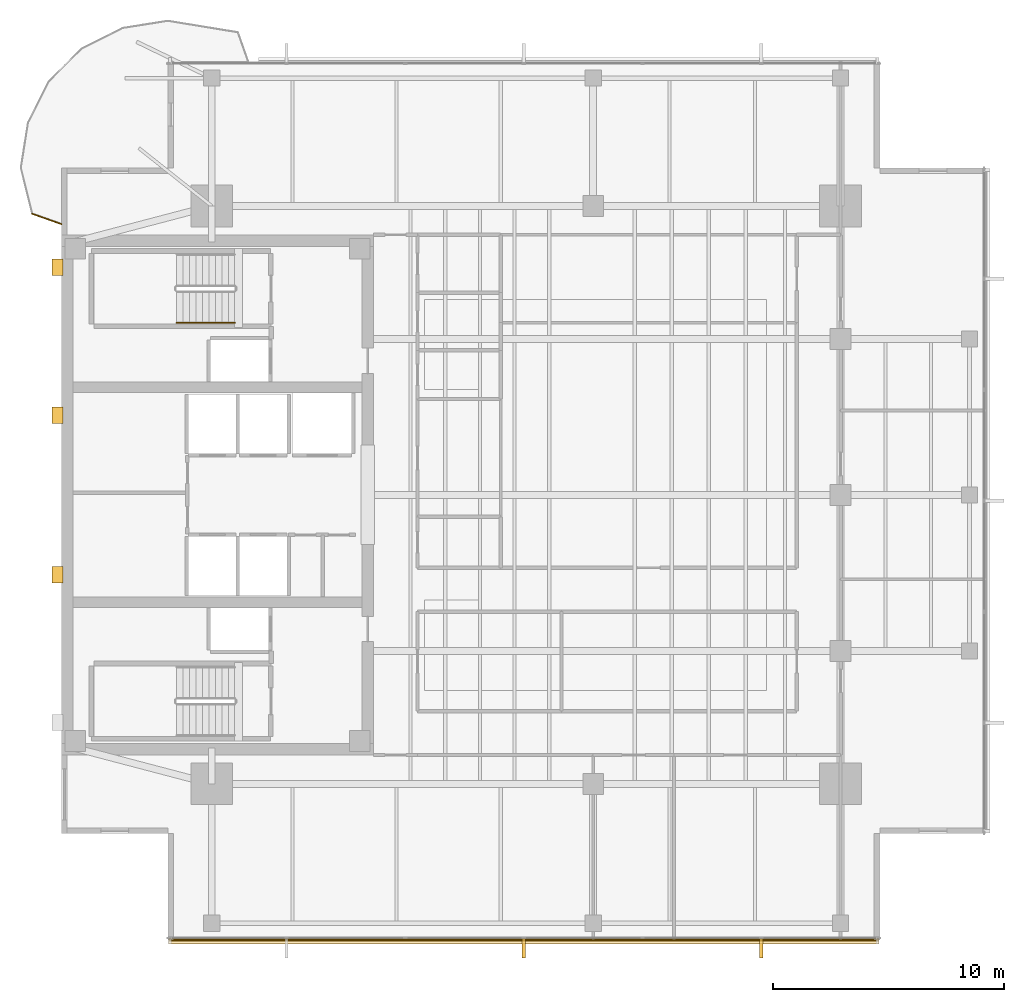
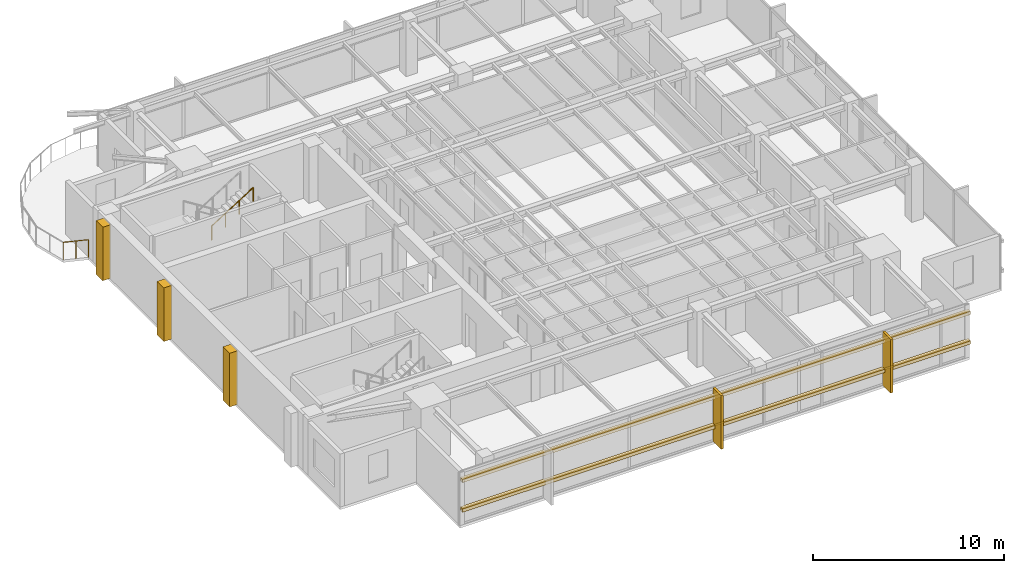
# One storey, part 12 of 14: 7 coverings, 2 railings, 2 shading devices.
"""IFC4 building model written with IfcOpenShell, lengths in metres."""

import ifcopenshell
import ifcopenshell.guid

model = None  # the IFC model being written
_history = None  # IfcOwnerHistory: only IFC2X3 demands one
_inside = {}  # id of a spatial element -> (the spatial element, [elements in it])
_under = {}  # id of a project, library or spatial element -> (it, [spatial elements below it])
_declared = {}  # id of a project -> (the project, [libraries it declares])
_typed = {}  # id of a type object -> (the type object, [elements of that type])
_made_of = {}  # id of a material, layer set ... -> (it, [elements and type objects made of it])


def new_model(schema):
    """Start an empty IFC model of exactly this schema.

    Asked for "IFC4X3", IfcOpenShell would pick the latest addendum, in which some entities
    have other attributes; the version numbers below select the first issue.
    IFC2X3 requires an IfcOwnerHistory on every rooted entity: one is made here for all.
    """
    global model, _history
    if schema == "IFC4X3":
        model = ifcopenshell.file(schema_version=(4, 3, 0, 0))
    else:
        model = ifcopenshell.file(schema=schema)
    _inside.clear()
    _under.clear()
    _declared.clear()
    _typed.clear()
    _made_of.clear()
    _history = None
    if model.schema == "IFC2X3":
        org = make("IfcOrganization", Name="unknown")
        user = make(
            "IfcPersonAndOrganization",
            ThePerson=make("IfcPerson", FamilyName="unknown"),
            TheOrganization=org,
        )
        app = make(
            "IfcApplication",
            ApplicationDeveloper=org,
            Version="unknown",
            ApplicationFullName="unknown",
            ApplicationIdentifier="unknown",
        )
        _history = make(
            "IfcOwnerHistory",
            OwningUser=user,
            OwningApplication=app,
            ChangeAction="ADDED",
            CreationDate=0,
        )
    return model


def make(cls, **values):
    """One entity of the class cls with the attributes given. An attribute that is None is left unset."""
    return model.create_entity(
        cls, **{name: value for name, value in values.items() if value is not None}
    )


def rooted(cls, **values):
    """An entity with a GlobalId (a new one), such as an element, a storey or a relation."""
    return make(cls, GlobalId=ifcopenshell.guid.new(), OwnerHistory=_history, **values)


def si_unit(unit_type, name, prefix=None):
    """IfcSIUnit, for example si_unit("LENGTHUNIT", "METRE", prefix="MILLI")."""
    return make("IfcSIUnit", UnitType=unit_type, Prefix=prefix, Name=name)


def assignment(units):
    """IfcUnitAssignment: the units of a project."""
    return None if units is None else make("IfcUnitAssignment", Units=units)


def point(xyz):
    """IfcCartesianPoint."""
    return None if xyz is None else make("IfcCartesianPoint", Coordinates=xyz)


def direction(xyz):
    """IfcDirection."""
    return None if xyz is None else make("IfcDirection", DirectionRatios=xyz)


def frame(location, z_axis=None, x_axis=None):
    """IfcAxis2Placement3D, a coordinate frame: its origin and axes. An axis left out is left unset."""
    return make(
        "IfcAxis2Placement3D",
        Location=point(location),
        Axis=direction(z_axis),
        RefDirection=direction(x_axis),
    )


def frame_2d(location, x_axis=None):
    """IfcAxis2Placement2D, a coordinate frame in the plane: its origin and x axis."""
    return make(
        "IfcAxis2Placement2D", Location=point(location), RefDirection=direction(x_axis)
    )


def origin():
    """The frame at (0, 0, 0) with its axes left unset."""
    return frame((0.0, 0.0, 0.0))


def origin_2d():
    """The frame at (0, 0) in the plane with its x axis left unset."""
    return frame_2d((0.0, 0.0))


def place(relative_to, where):
    """IfcLocalPlacement: puts the frame where relative to a parent placement (None: the world)."""
    return make(
        "IfcLocalPlacement", PlacementRelTo=relative_to, RelativePlacement=where
    )


def context(
    kind, dimensions, precision=None, world=None, true_north=None, identifier=None
):
    """IfcGeometricRepresentationContext, for example the 3D "Model" context."""
    return make(
        "IfcGeometricRepresentationContext",
        ContextIdentifier=identifier,
        ContextType=kind,
        CoordinateSpaceDimension=dimensions,
        Precision=precision,
        WorldCoordinateSystem=world,
        TrueNorth=true_north,
    )


def subcontext(parent, identifier, kind, view, scale=None):
    """IfcGeometricRepresentationSubContext, for example "Body" below "Model"."""
    return make(
        "IfcGeometricRepresentationSubContext",
        ContextIdentifier=identifier,
        ContextType=kind,
        ParentContext=parent,
        TargetScale=scale,
        TargetView=view,
    )


def project(units=None, contexts=None):
    """IfcProject with its units and contexts."""
    return rooted(
        "IfcProject",
        Name="project",
        RepresentationContexts=contexts,
        UnitsInContext=assignment(units),
    )


def spatial(cls, under=None, at=None, **own):
    """A site, building, storey or space (cls), placed at a placement, below another one or the project."""
    s = rooted(cls, ObjectPlacement=at, **own)
    if under is not None:
        _under.setdefault(under.id(), (under, []))[1].append(s)
    return s


def polyline(points):
    """IfcPolyline through the points."""
    return make("IfcPolyline", Points=[point(p) for p in points])


def profile(cls, at=None, kind="AREA", **sizes):
    """A parametric profile (cls). Its sizes go by their IFC names, for example OverallWidth=200.0."""
    return make(cls, ProfileType=kind, Position=at, **sizes)


def rectangle(**sizes):
    """IfcRectangleProfileDef."""
    return profile("IfcRectangleProfileDef", **sizes)


def circle(**sizes):
    """IfcCircleProfileDef."""
    return profile("IfcCircleProfileDef", **sizes)


def outline(outer, holes=None, kind="AREA"):
    """IfcArbitraryClosedProfileDef: a profile drawn as a closed curve; with holes, ...WithVoids."""
    if holes is None:
        return make("IfcArbitraryClosedProfileDef", ProfileType=kind, OuterCurve=outer)
    return make(
        "IfcArbitraryProfileDefWithVoids",
        ProfileType=kind,
        OuterCurve=outer,
        InnerCurves=holes,
    )


def extrude(swept, where, along, depth):
    """IfcExtrudedAreaSolid: the profile swept, set in the frame where, extruded along a direction by depth."""
    return make(
        "IfcExtrudedAreaSolid",
        SweptArea=swept,
        Position=where,
        ExtrudedDirection=direction(along),
        Depth=depth,
    )


def shape(context_of_items, identifier, shape_type, items):
    """IfcShapeRepresentation: the items that make up one representation, for example the "Body"."""
    return make(
        "IfcShapeRepresentation",
        ContextOfItems=context_of_items,
        RepresentationIdentifier=identifier,
        RepresentationType=shape_type,
        Items=items,
    )


def material(Name=None, Category=None):
    """IfcMaterial."""
    return make("IfcMaterial", Name=Name, Category=Category)


def layer(
    of_material, thickness, ventilated=None, Name=None, Category=None, Priority=None
):
    """IfcMaterialLayer: one layer of a wall or slab, of a material (None: an air gap)."""
    return make(
        "IfcMaterialLayer",
        Material=of_material,
        LayerThickness=thickness,
        IsVentilated=ventilated,
        Name=Name,
        Category=Category,
        Priority=Priority,
    )


def layer_set(layers, Name=None):
    """IfcMaterialLayerSet."""
    return make("IfcMaterialLayerSet", MaterialLayers=layers, LayerSetName=Name)


def material_profile(
    of_material, cross_section, Name=None, Category=None, Priority=None
):
    """IfcMaterialProfile: a cross section and its material."""
    return make(
        "IfcMaterialProfile",
        Name=Name,
        Material=of_material,
        Profile=cross_section,
        Priority=Priority,
        Category=Category,
    )


def profile_set(profiles, Name=None, composite=None):
    """IfcMaterialProfileSet."""
    return make(
        "IfcMaterialProfileSet",
        Name=Name,
        MaterialProfiles=profiles,
        CompositeProfile=composite,
    )


def made_of(thing, what):
    """Note that an element or type object is made of a material, layer set ...; save() writes the relation."""
    if what is not None:
        _made_of.setdefault(what.id(), (what, []))[1].append(thing)
    return thing


def type_object(cls, material=None, **own):
    """A type object (cls), such as IfcWallType, which elements share."""
    return made_of(rooted(cls, **own), material)


def element(
    cls,
    number,
    at=None,
    inside=None,
    cuts=None,
    type_object=None,
    material=None,
    context=None,
    identifier="Body",
    shape_type=None,
    held_by="IfcProductDefinitionShape",
    body=None,
    shapes=None,
    **own,
):
    """One element of the class cls, such as IfcWall. Its Tag is "e" and its number.

    at: its placement. inside: the storey or other place that contains it. cuts: it is an
    opening in that element (IfcRelVoidsElement). A single representation is given by context,
    identifier, shape_type and body (its items); several are given by shapes. held_by: the class
    of the entity that holds the representations. save() writes the other relations.
    """
    e = rooted(cls, Tag="e%d" % number, ObjectPlacement=at, **own)
    if body is not None:
        shapes = [shape(context, identifier, shape_type, body)]
    if shapes is not None:
        e.Representation = make(held_by, Representations=shapes)
    if inside is not None:
        _inside.setdefault(inside.id(), (inside, []))[1].append(e)
    if cuts is not None:
        rooted(
            "IfcRelVoidsElement", RelatingBuildingElement=cuts, RelatedOpeningElement=e
        )
    if type_object is not None:
        _typed.setdefault(type_object.id(), (type_object, []))[1].append(e)
    return made_of(e, material)


def aggregate(whole, parts):
    """IfcRelAggregates: a whole, such as a stair, and the parts it consists of."""
    return rooted("IfcRelAggregates", RelatingObject=whole, RelatedObjects=parts)


def save(model, path):
    """Write the relations noted so far, then the file.

    IfcRelAggregates (storeys below a building ...), IfcRelContainedInSpatialStructure (elements
    in a storey), IfcRelDefinesByType, IfcRelAssociatesMaterial and IfcRelDeclares: one each for
    every whole, place, type object, material and project.
    """
    for whole, parts in _under.values():
        aggregate(whole, parts)
    for where, things in _inside.values():
        rooted(
            "IfcRelContainedInSpatialStructure",
            RelatedElements=things,
            RelatingStructure=where,
        )
    for kind, things in _typed.values():
        rooted("IfcRelDefinesByType", RelatedObjects=things, RelatingType=kind)
    for what, things in _made_of.values():
        rooted("IfcRelAssociatesMaterial", RelatedObjects=things, RelatingMaterial=what)
    for by, libraries in _declared.values():
        rooted("IfcRelDeclares", RelatingContext=by, RelatedDefinitions=libraries)
    model.write(path)


model = new_model("IFC4")

# Units and contexts
model_context = context("Model", 3, precision=1e-05, world=origin(), true_north=direction((0.0, 1.0)))
body_context = subcontext(model_context, "Body", "Model", "MODEL_VIEW")
ifc_project = project(units=[si_unit("LENGTHUNIT", "METRE"), si_unit("AREAUNIT", "SQUARE_METRE"), si_unit("VOLUMEUNIT", "CUBIC_METRE"), si_unit("PLANEANGLEUNIT", "RADIAN"), si_unit("MASSUNIT", "GRAM", prefix="KILO")], contexts=[model_context])

# Site, building, storey
site_placement = place(None, origin())
site = spatial("IfcSite", under=ifc_project, at=site_placement, CompositionType="ELEMENT")
building_placement = place(site_placement, origin())
building = spatial("IfcBuilding", under=site, at=building_placement, Name="Kinhvarn Gate Tower", CompositionType="ELEMENT")
storey_placement = place(building_placement, frame((0.0, 0.0, 270.550048828125)))
storey = spatial("IfcBuildingStorey", under=building, at=storey_placement, Name="L72", CompositionType="ELEMENT", Elevation=270.550048828125)

# Coverings
ifc_material_1 = material(Name="Fired architectural terracotta", Category="masonry")
ifc_layer_1 = layer(ifc_material_1, 0.239990234375)
ifc_layer_set_1 = layer_set([ifc_layer_1], Name="Fired architectural terracotta")
covering_type_1 = type_object("IfcCoveringType", Name="COV-BAG-220", PredefinedType="CLADDING", material=ifc_layer_set_1)
covering_1_placement = place(storey_placement, frame((0.0, 0.0, 0.93994140625)))
element("IfcCovering", 1, at=covering_1_placement, inside=storey, type_object=covering_type_1, Name="Terracotta Horizontal Sunscreen Band TBG-220 (L72)", PredefinedType="CLADDING", context=body_context, shape_type="SweptSolid", body=[
    extrude(outline(polyline([(9.139892578125, 6.070068359375), (39.860107421875, 6.070068359375), (39.860107421875, 5.830078125), (9.139892578125, 5.830078125), (9.139892578125, 6.070068359375)])), origin(), (0.0, 0.0, 1.0), 0.219970703125),
])
covering_2_placement = place(storey_placement, frame((0.0, 0.0, 2.829833984375)))
element("IfcCovering", 2, at=covering_2_placement, inside=storey, type_object=covering_type_1, Name="Terracotta Horizontal Sunscreen Band TBG-220 (L72)", PredefinedType="CLADDING", context=body_context, shape_type="SweptSolid", body=[
    extrude(outline(polyline([(9.139892578125, 6.070068359375), (39.860107421875, 6.070068359375), (39.860107421875, 5.830078125), (9.139892578125, 5.830078125), (9.139892578125, 6.070068359375)])), origin(), (0.0, 0.0, 1.0), 0.22021484375),
])
ifc_layer_2 = layer(ifc_material_1, 0.139892578125)
ifc_layer_set_2 = layer_set([ifc_layer_2], Name="Fired architectural terracotta")
covering_type_2 = type_object("IfcCoveringType", Name="COV-FIN-850", PredefinedType="CLADDING", material=ifc_layer_set_2)
covering_3_placement = place(storey_placement, frame((0.0, 0.0, -0.02001953125)))
element("IfcCovering", 3, at=covering_3_placement, inside=storey, type_object=covering_type_2, Name="Vertical Terracotta Expressive Fin TFN-850 (L72)", PredefinedType="CLADDING", context=body_context, shape_type="SweptSolid", body=[
    extrude(outline(polyline([(24.429931640625, 6.080078125), (24.570068359375, 6.080078125), (24.570068359375, 5.22998046875), (24.429931640625, 5.22998046875), (24.429931640625, 6.080078125)])), origin(), (0.0, 0.0, 1.0), 3.429931640625),
])
covering_4_placement = place(storey_placement, frame((0.0, 0.0, -0.02001953125)))
element("IfcCovering", 4, at=covering_4_placement, inside=storey, type_object=covering_type_2, Name="Vertical Terracotta Expressive Fin TFN-850 (L72)", PredefinedType="CLADDING", context=body_context, shape_type="SweptSolid", body=[
    extrude(outline(polyline([(34.69677734375, 6.080078125), (34.836669921875, 6.080078125), (34.836669921875, 5.22998046875), (34.69677734375, 5.22998046875), (34.69677734375, 6.080078125)])), origin(), (0.0, 0.0, 1.0), 3.429931640625),
])
ifc_material_2 = material(Name="Precast white architectural concrete C40/50", Category="concrete")
ifc_layer_3 = layer(ifc_material_2, 0.47998046875)
ifc_layer_set_3 = layer_set([ifc_layer_3], Name="Precast white architectural concrete C40/50")
covering_type_3 = type_object("IfcCoveringType", Name="COV-RIB-450", PredefinedType="CLADDING", material=ifc_layer_set_3)
covering_5_placement = place(storey_placement, frame((0.0, 0.0, -0.02001953125)))
element("IfcCovering", 5, at=covering_5_placement, inside=storey, type_object=covering_type_3, Name="West Core Sculptural Concrete Relief Rib CRB-450 (L72)", PredefinedType="CLADDING", context=body_context, shape_type="SweptSolid", body=[
    extrude(outline(polyline([(4.080078125, 21.449951171875), (4.56005859375, 21.449951171875), (4.56005859375, 22.14990234375), (4.080078125, 22.14990234375), (4.080078125, 21.449951171875)])), origin(), (0.0, 0.0, 1.0), 3.429931640625),
])
covering_6_placement = place(storey_placement, frame((0.0, 0.0, -0.02001953125)))
element("IfcCovering", 6, at=covering_6_placement, inside=storey, type_object=covering_type_3, Name="West Core Sculptural Concrete Relief Rib CRB-450 (L72)", PredefinedType="CLADDING", context=body_context, shape_type="SweptSolid", body=[
    extrude(outline(polyline([(4.080078125, 28.35009765625), (4.56005859375, 28.35009765625), (4.56005859375, 29.050048828125), (4.080078125, 29.050048828125), (4.080078125, 28.35009765625)])), origin(), (0.0, 0.0, 1.0), 3.429931640625),
])
covering_7_placement = place(storey_placement, frame((0.0, 0.0, -0.02001953125)))
element("IfcCovering", 7, at=covering_7_placement, inside=storey, type_object=covering_type_3, Name="West Core Sculptural Concrete Relief Rib CRB-450 (L72)", PredefinedType="CLADDING", context=body_context, shape_type="SweptSolid", body=[
    extrude(outline(polyline([(4.080078125, 34.75), (4.56005859375, 34.75), (4.56005859375, 35.449951171875), (4.080078125, 35.449951171875), (4.080078125, 34.75)])), origin(), (0.0, 0.0, 1.0), 3.429931640625),
])

# Railings
ifc_material_3 = material(Name="Clear low-e double glazing", Category="glass")
railing_type_1 = type_object("IfcRailingType", Name="RL-BAL-1150", PredefinedType="BALUSTRADE", material=ifc_material_3)
railing_1_placement = place(storey_placement, frame((3.2255859375, 37.4150390625, 0.0)))
element("IfcRailing", 8, at=railing_1_placement, inside=storey, type_object=railing_type_1, Name="S-Carve Balcony Guardrail Seg 9 (L72)", PredefinedType="BALUSTRADE", context=body_context, shape_type="SweptSolid", body=[
    extrude(circle(Radius=0.02392578125, at=origin_2d()), frame((0.0, 0.0, 1.1259765625), z_axis=(0.94295364354, -0.332924054606, 0.0), x_axis=(0.332924054606, 0.94295364354, 0.0)), (0.0, 0.0, 1.0), 1.3515625),
    extrude(circle(Radius=0.02099609375, at=origin_2d()), origin(), (0.0, 0.0, 1.0), 1.101806640625),
    extrude(circle(Radius=0.02099609375, at=origin_2d()), frame((0.63720703125, -0.22509765625, 0.0)), (0.0, 0.0, 1.0), 1.101806640625),
    extrude(circle(Radius=0.02099609375, at=origin_2d()), frame((1.2744140625, -0.449951171875, 0.0)), (0.0, 0.0, 1.0), 1.101806640625),
])
ifc_material_4 = material(Name="Steel S355", Category="steel")
railing_type_2 = type_object("IfcRailingType", Name="RL-ST-HND", PredefinedType="HANDRAIL", material=ifc_material_4)
railing_2_placement = place(storey_placement, frame((9.47998046875, 32.699951171875, 1.952392578125)))
element("IfcRailing", 9, at=railing_2_placement, inside=storey, type_object=railing_type_2, Name="L72 ST2 stair handrail 2", PredefinedType="HANDRAIL", context=body_context, shape_type="SweptSolid", body=[
    extrude(circle(Radius=0.02392578125, at=origin_2d()), frame((0.0, 0.0, 0.8759765625), z_axis=(0.84456994832, 0.0, 0.535445237532), x_axis=(0.0, 1.0, 0.0)), (0.0, 0.0, 1.0), 2.98388671875),
    extrude(circle(Radius=0.02099609375, at=origin_2d()), origin(), (0.0, 0.0, 1.0), 0.851806640625),
    extrude(circle(Radius=0.02099609375, at=origin_2d()), frame((0.840087890625, 0.0, 0.532470703125)), (0.0, 0.0, 1.0), 0.851806640625),
    extrude(circle(Radius=0.02099609375, at=origin_2d()), frame((1.679931640625, 0.0, 1.065185546875)), (0.0, 0.0, 1.0), 0.851806640625),
    extrude(circle(Radius=0.02099609375, at=origin_2d()), frame((2.52001953125, 0.0, 1.59765625)), (0.0, 0.0, 1.0), 0.851806640625),
])

# Shading devices
ifc_material_profile = material_profile(ifc_material_1, rectangle(XDim=0.050048828125, YDim=0.1201171875, at=origin_2d()), Name="TC 50x120")
ifc_profile_set = profile_set([ifc_material_profile], Name="Fired architectural terracotta")
shading_device_type = type_object("IfcShadingDeviceType", Name="SHD-BAG-140", PredefinedType="USERDEFINED", material=ifc_profile_set)
for number, where, z_axis, x_axis, name in (
    (10, (9.139892578125, 6.0, 1.050048828125), (1.0, 0.0, 0.0), (0.0, 1.0, 0.0), "Upper Tower Terracotta Baguette Screen Rod 50x120 mm (L72)"),
    (11, (9.139892578125, 6.0, 2.93994140625), (1.0, 0.0, 0.0), (0.0, 1.0, 0.0), "Upper Tower Terracotta Baguette Screen Rod 50x120 mm (L72)"),
):
    element("IfcShadingDevice", number, at=place(storey_placement, frame(where, z_axis=z_axis, x_axis=x_axis)), inside=storey, type_object=shading_device_type, Name=name, ObjectType="BAGUETTE", PredefinedType="USERDEFINED", context=body_context, shape_type="SweptSolid", body=[
        extrude(rectangle(XDim=0.050048828125, YDim=0.1201171875, at=origin_2d()), origin(), (0.0, 0.0, 1.0), 30.72021484375),
    ])

save(model, "model.ifc")
